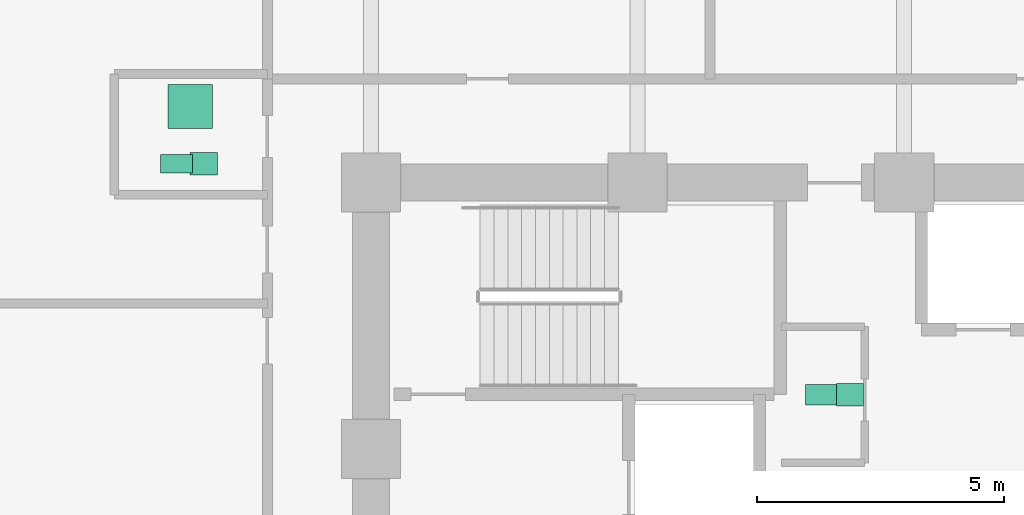
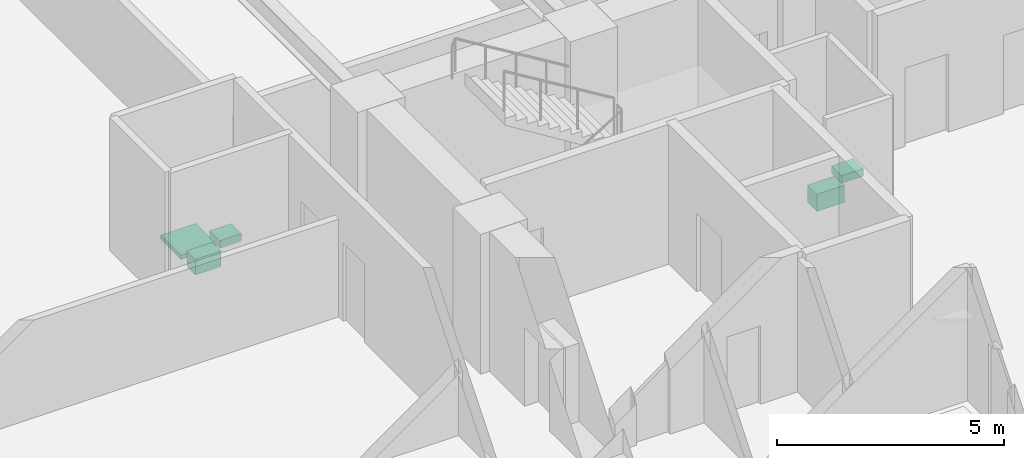
# One storey, part 27 of 27: 5 sanitary terminals.
"""IFC4 building model written with IfcOpenShell, lengths in metres."""

from ifc_helpers import new_model, si_unit, direction, frame, origin, origin_2d, place, context, subcontext, project, spatial, rectangle, extrude, material, type_object, element, save


model = new_model("IFC4")

# Units and contexts
model_context = context("Model", 3, precision=1e-05, world=origin(), true_north=direction((0.0, 1.0)))
body_context = subcontext(model_context, "Body", "Model", "MODEL_VIEW")
ifc_project = project(units=[si_unit("LENGTHUNIT", "METRE"), si_unit("AREAUNIT", "SQUARE_METRE"), si_unit("VOLUMEUNIT", "CUBIC_METRE"), si_unit("PLANEANGLEUNIT", "RADIAN"), si_unit("MASSUNIT", "GRAM", prefix="KILO")], contexts=[model_context])

# Site, building, storey
site_placement = place(None, origin())
site = spatial("IfcSite", under=ifc_project, at=site_placement, CompositionType="ELEMENT")
building_placement = place(site_placement, origin())
building = spatial("IfcBuilding", under=site, at=building_placement, Name="Surkhivell Harbour Commons", CompositionType="ELEMENT")
storey_placement = place(building_placement, frame((0.0, 0.0, 56.25)))
storey = spatial("IfcBuildingStorey", under=building, at=storey_placement, Name="L14", CompositionType="ELEMENT", Elevation=56.25)

# Sanitary terminals
ifc_material_1 = material(Name="Vitreous china washbasin", Category="other")
sanitary_terminal_type_1 = type_object("IfcSanitaryTerminalType", Name="SAN-BSN", PredefinedType="WASHHANDBASIN", material=ifc_material_1)
for number, where, z_axis, x_axis, name in (
    (1, (-1.10009765625, 6.5, 0.72021484375), (0.0, 0.0, 1.0), (1.0, 0.0, 0.0), "L14 Core Accessible WC Washbasin"),
    (2, (-14.18994140625, 11.179931640625, 0.72021484375), (0.0, 0.0, 1.0), (1.0, 0.0, 0.0), "L14 West Communal Bathroom WC Washbasin"),
):
    element("IfcSanitaryTerminal", number, at=place(storey_placement, frame(where, z_axis=z_axis, x_axis=x_axis)), inside=storey, type_object=sanitary_terminal_type_1, Name=name, PredefinedType="WASHHANDBASIN", context=body_context, shape_type="SweptSolid", body=[
        extrude(rectangle(XDim=0.550048828125, YDim=0.449951171875, at=origin_2d()), origin(), (0.0, 0.0, 1.0), 0.199951171875),
    ])
ifc_material_2 = material(Name="Glazed porcelain shower tray", Category="other")
sanitary_terminal_type_2 = type_object("IfcSanitaryTerminalType", Name="SAN-SHW", PredefinedType="SHOWER", material=ifc_material_2)
sanitary_terminal_1_placement = place(storey_placement, frame((-14.4599609375, 12.340087890625, 0.0), z_axis=(0.0, 0.0, 1.0), x_axis=(1.0, 0.0, 0.0)))
element("IfcSanitaryTerminal", 3, at=sanitary_terminal_1_placement, inside=storey, type_object=sanitary_terminal_type_2, Name="L14 West Communal Shower Tray", PredefinedType="SHOWER", context=body_context, shape_type="SweptSolid", body=[
    extrude(rectangle(XDim=0.89990234375, YDim=0.89990234375, at=origin_2d()), origin(), (0.0, 0.0, 1.0), 0.1201171875),
])
ifc_material_3 = material(Name="Vitreous china sanitaryware", Category="other")
sanitary_terminal_type_3 = type_object("IfcSanitaryTerminalType", Name="SAN-WC-ACC", PredefinedType="TOILETPAN", material=ifc_material_3)
sanitary_terminal_2_placement = place(storey_placement, frame((-1.64990234375, 6.5, 0.169921875), z_axis=(0.0, 0.0, 1.0), x_axis=(1.0, 0.0, 0.0)))
element("IfcSanitaryTerminal", 4, at=sanitary_terminal_2_placement, inside=storey, type_object=sanitary_terminal_type_3, Name="L14 Core Accessible WC", PredefinedType="TOILETPAN", context=body_context, shape_type="SweptSolid", body=[
    extrude(rectangle(XDim=0.699951171875, YDim=0.419921875, at=origin_2d()), origin(), (0.0, 0.0, 1.0), 0.4599609375),
])
sanitary_terminal_type_4 = type_object("IfcSanitaryTerminalType", Name="SAN-WC-STD", PredefinedType="TOILETPAN", material=ifc_material_3)
sanitary_terminal_3_placement = place(storey_placement, frame((-14.739990234375, 11.179931640625, 0.18994140625), z_axis=(0.0, 0.0, 1.0), x_axis=(1.0, 0.0, 0.0)))
element("IfcSanitaryTerminal", 5, at=sanitary_terminal_3_placement, inside=storey, type_object=sanitary_terminal_type_4, Name="L14 West Communal Bathroom WC", PredefinedType="TOILETPAN", context=body_context, shape_type="SweptSolid", body=[
    extrude(rectangle(XDim=0.64990234375, YDim=0.3798828125, at=origin_2d()), origin(), (0.0, 0.0, 1.0), 0.419921875),
])

save(model, "model.ifc")
